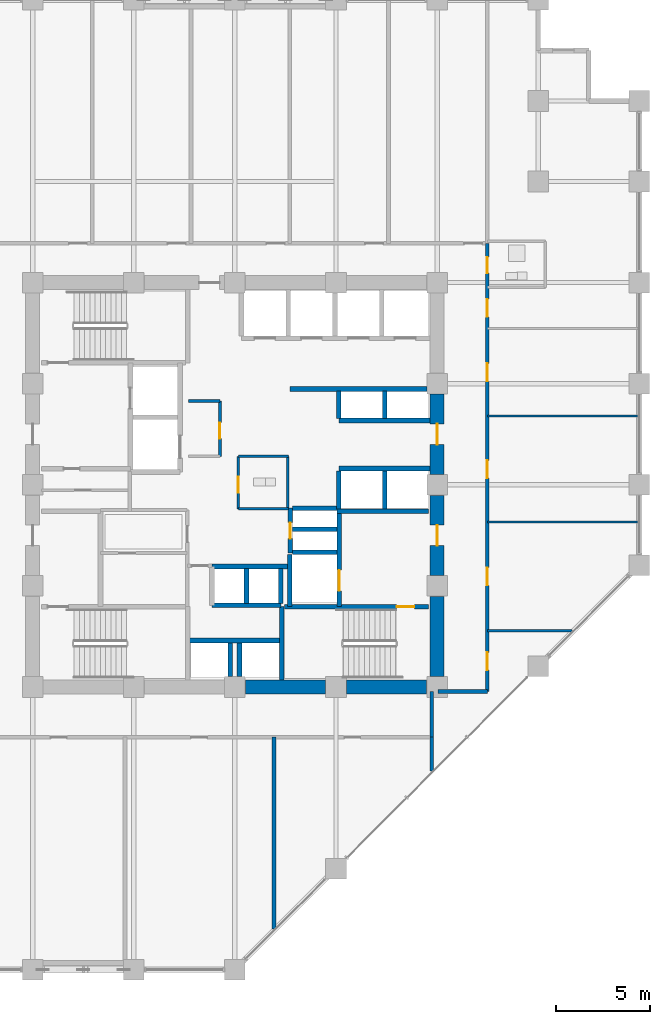
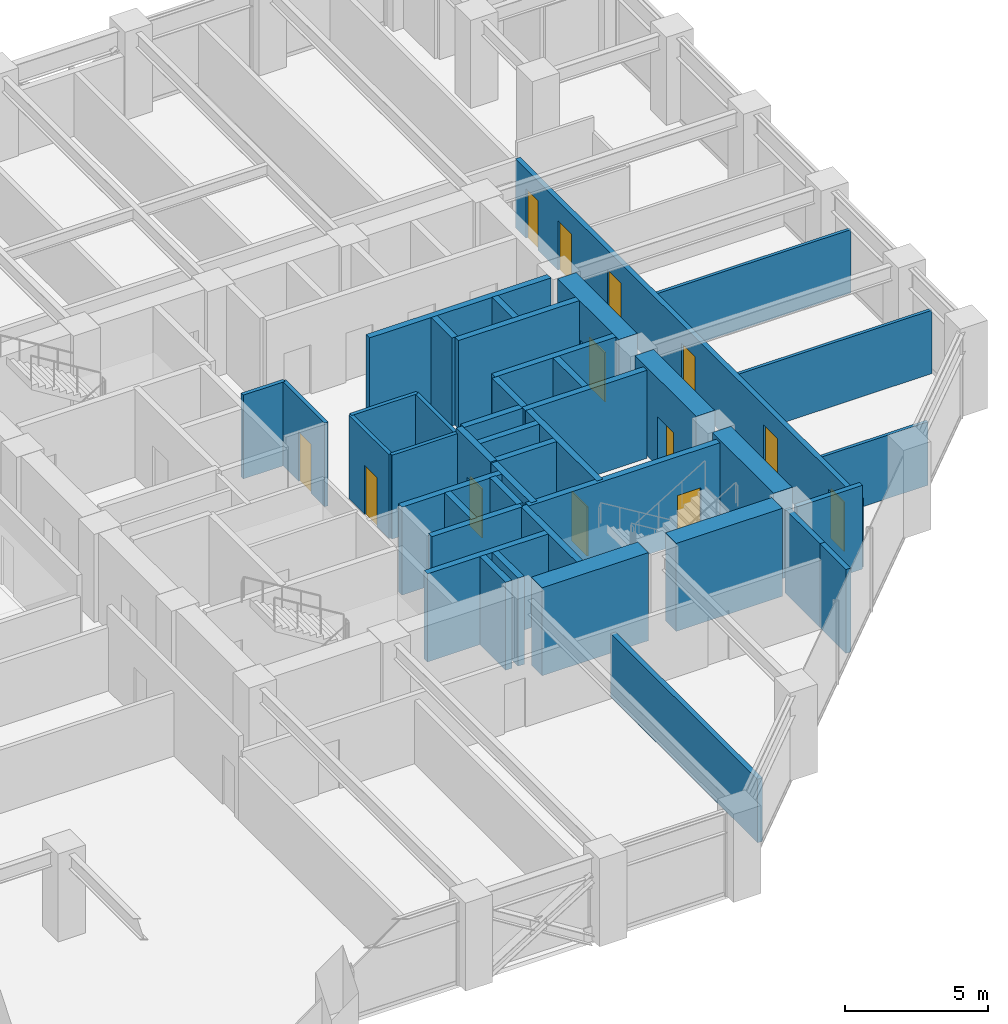
# One storey, part 20 of 25: 42 walls, 13 doors, 13 openings.
"""IFC4 building model written with IfcOpenShell, lengths in metres."""

from ifc_helpers import new_model, si_unit, direction, frame, frame_2d, origin, place, context, subcontext, project, spatial, rectangle, extrude, material, layer, layer_set, type_object, element, fill, save


model = new_model("IFC4")

# Units and contexts
model_context = context("Model", 3, precision=1e-05, world=origin(), true_north=direction((0.0, 1.0)))
body_context = subcontext(model_context, "Body", "Model", "MODEL_VIEW")
ifc_project = project(units=[si_unit("LENGTHUNIT", "METRE"), si_unit("AREAUNIT", "SQUARE_METRE"), si_unit("VOLUMEUNIT", "CUBIC_METRE"), si_unit("PLANEANGLEUNIT", "RADIAN"), si_unit("MASSUNIT", "GRAM", prefix="KILO")], contexts=[model_context])

# Site, building, storey
site_placement = place(None, origin())
site = spatial("IfcSite", under=ifc_project, at=site_placement, CompositionType="ELEMENT")
building_placement = place(site_placement, origin())
building = spatial("IfcBuilding", under=site, at=building_placement, Name="Surkhivell Harbour Commons", CompositionType="ELEMENT")
storey_placement = place(building_placement, frame((0.0, 0.0, 124.5)))
storey = spatial("IfcBuildingStorey", under=building, at=storey_placement, Name="L32", CompositionType="ELEMENT", Elevation=124.5)

# Wall
ifc_material_1 = material(Name="Concrete C60/75", Category="concrete")
ifc_layer_1 = layer(ifc_material_1, 0.75)
ifc_layer_set_1 = layer_set([ifc_layer_1], Name="Concrete C60/75")
wall_type_1 = type_object("IfcWallType", Name="WAL-CORE-750", PredefinedType="SHEAR", material=ifc_layer_set_1)
wall_1_placement = place(storey_placement, frame((10.800048828125, -10.239990234375, 0.0), z_axis=(0.0, 0.0, 1.0), x_axis=(0.0, 1.0, 0.0)))
element("IfcWall", 1, at=wall_1_placement, inside=storey, type_object=wall_type_1, Name="L32 Core Shear Wall East 1", PredefinedType="SHEAR", context=body_context, shape_type="SweptSolid", body=[
    extrude(rectangle(XDim=4.280029296875, YDim=0.75, at=frame_2d((2.14013671875, 0.0))), origin(), (0.0, 0.0, 1.0), 3.75),
])

# Wall, opening, door
wall_2_placement = place(storey_placement, frame((10.800048828125, -4.840087890625, 0.0), z_axis=(0.0, 0.0, 1.0), x_axis=(0.0, 1.0, 0.0)))
wall_2 = element("IfcWall", 2, at=wall_2_placement, inside=storey, type_object=wall_type_1, Name="L32 Core Shear Wall East 2", PredefinedType="SHEAR", context=body_context, shape_type="SweptSolid", body=[
    extrude(rectangle(XDim=4.280029296875, YDim=0.75, at=frame_2d((2.14013671875, 0.0))), origin(), (0.0, 0.0, 1.0), 3.75),
])
opening_1_placement = place(wall_2_placement, frame((1.590087890625, 0.0, 0.0)))
opening_1 = element("IfcOpeningElement", 3, at=opening_1_placement, cuts=wall_2, Name="Opening ID-1", PredefinedType="OPENING", context=body_context, shape_type="SweptSolid", body=[
    extrude(rectangle(XDim=1.10009765625, YDim=2.10009765625, at=frame_2d((0.550048828125, 1.050048828125))), frame((0.0, 0.385009765625, 0.0), z_axis=(0.0, -1.0, 0.0), x_axis=(1.0, 0.0, 0.0)), (0.0, 0.0, 1.0), 0.77001953125),
])
ifc_material_2 = material(Name="Hardwood-veneered fire-rated door leaf", Category="wood")
door_type_1 = type_object("IfcDoorType", Name="DOR-FD120-1100", OperationType="NOTDEFINED", PredefinedType="DOOR", material=ifc_material_2)
door_1_placement = place(opening_1_placement, origin())
door_1 = element("IfcDoor", 4, at=door_1_placement, inside=storey, type_object=door_type_1, Name="L32 Firefighting Lobby 2 Corridor Door", OperationType="SINGLE_SWING_RIGHT", OverallHeight=2.10009765625, OverallWidth=1.10009765625, PredefinedType="DOOR", context=body_context, shape_type="SweptSolid", body=[
    extrude(rectangle(XDim=1.10009765625, YDim=2.10009765625, at=frame_2d((0.550048828125, 1.050048828125))), frame((0.0, 0.02490234375, 0.0), z_axis=(0.0, -1.0, 0.0), x_axis=(1.0, 0.0, 0.0)), (0.0, 0.0, 1.0), 0.050048828125),
])
fill(opening_1, door_1)

# Wall
wall_3_placement = place(storey_placement, frame((0.56005859375, -10.800048828125, 0.0), z_axis=(0.0, 0.0, 1.0), x_axis=(1.0, 0.0, 0.0)))
element("IfcWall", 5, at=wall_3_placement, inside=storey, type_object=wall_type_1, Name="L32 Core Shear Wall South 3", PredefinedType="SHEAR", context=body_context, shape_type="SweptSolid", body=[
    extrude(rectangle(XDim=4.280029296875, YDim=0.75, at=frame_2d((2.14013671875, 0.0))), origin(), (0.0, 0.0, 1.0), 3.75),
])

# Wall, opening, door
wall_4_placement = place(storey_placement, frame((10.800048828125, 0.56005859375, 0.0), z_axis=(0.0, 0.0, 1.0), x_axis=(0.0, 1.0, 0.0)))
wall_4 = element("IfcWall", 6, at=wall_4_placement, inside=storey, type_object=wall_type_1, Name="L32 Core Shear Wall East 3", PredefinedType="SHEAR", context=body_context, shape_type="SweptSolid", body=[
    extrude(rectangle(XDim=4.280029296875, YDim=0.75, at=frame_2d((2.14013671875, 0.0))), origin(), (0.0, 0.0, 1.0), 3.75),
])
opening_2_placement = place(wall_4_placement, frame((1.590087890625, 0.0, 0.0)))
opening_2 = element("IfcOpeningElement", 7, at=opening_2_placement, cuts=wall_4, Name="Opening ID-2", PredefinedType="OPENING", context=body_context, shape_type="SweptSolid", body=[
    extrude(rectangle(XDim=1.10009765625, YDim=2.10009765625, at=frame_2d((0.550048828125, 1.050048828125))), frame((0.0, 0.385009765625, 0.0), z_axis=(0.0, -1.0, 0.0), x_axis=(1.0, 0.0, 0.0)), (0.0, 0.0, 1.0), 0.77001953125),
])
door_type_2 = type_object("IfcDoorType", Name="DOR-FD60-1100", OperationType="NOTDEFINED", PredefinedType="DOOR", material=ifc_material_2)
door_2_placement = place(opening_2_placement, origin())
door_2 = element("IfcDoor", 8, at=door_2_placement, inside=storey, type_object=door_type_2, Name="L32 Mid-Rise Lobby East Door", OperationType="SINGLE_SWING_LEFT", OverallHeight=2.10009765625, OverallWidth=1.10009765625, PredefinedType="DOOR", context=body_context, shape_type="SweptSolid", body=[
    extrude(rectangle(XDim=1.10009765625, YDim=2.10009765625, at=frame_2d((0.550048828125, 1.050048828125))), frame((0.0, 0.02490234375, 0.0), z_axis=(0.0, -1.0, 0.0), x_axis=(1.0, 0.0, 0.0)), (0.0, 0.0, 1.0), 0.050048828125),
])
fill(opening_2, door_2)

# Walls
wall_5_placement = place(storey_placement, frame((5.9599609375, -10.800048828125, 0.0), z_axis=(0.0, 0.0, 1.0), x_axis=(1.0, 0.0, 0.0)))
element("IfcWall", 9, at=wall_5_placement, inside=storey, type_object=wall_type_1, Name="L32 Core Shear Wall South 4", PredefinedType="SHEAR", context=body_context, shape_type="SweptSolid", body=[
    extrude(rectangle(XDim=4.280029296875, YDim=0.75, at=frame_2d((2.14013671875, 0.0))), origin(), (0.0, 0.0, 1.0), 3.75),
])
ifc_material_3 = material(Name="Moisture-resistant acoustic stud partition", Category="other")
ifc_layer_2 = layer(ifc_material_3, 0.125)
ifc_layer_set_2 = layer_set([ifc_layer_2], Name="Moisture-resistant acoustic stud partition")
wall_type_2 = type_object("IfcWallType", Name="WAL-INT-125", PredefinedType="PARTITIONING", material=ifc_layer_set_2)
for number, where, z_axis, x_axis, name in (
    (10, (13.47998046875, -1.989990234375, 0.0), (0.0, 0.0, 1.0), (1.0, 0.0, 0.0), "L32 East Partition BDP1"),
    (11, (13.47998046875, 3.669921875, 0.0), (0.0, 0.0, 1.0), (1.0, 0.0, 0.0), "L32 East Partition BDP2"),
):
    element("IfcWall", number, at=place(storey_placement, frame(where, z_axis=z_axis, x_axis=x_axis)), inside=storey, type_object=wall_type_2, Name=name, PredefinedType="PARTITIONING", context=body_context, shape_type="SweptSolid", body=[
        extrude(rectangle(XDim=8.06005859375, YDim=0.125, at=frame_2d((4.030029296875, 0.0))), origin(), (0.0, 0.0, 1.0), 2.698974609375),
    ])
wall_6_placement = place(storey_placement, frame((13.47998046875, -7.800048828125, 0.0), z_axis=(0.0, 0.0, 1.0), x_axis=(1.0, 0.0, 0.0)))
element("IfcWall", 12, at=wall_6_placement, inside=storey, type_object=wall_type_2, Name="L32 East Partition PBOT", PredefinedType="PARTITIONING", context=body_context, shape_type="SweptSolid", body=[
    extrude(rectangle(XDim=4.53515625, YDim=0.125, at=frame_2d((2.267578125, 0.0))), origin(), (0.0, 0.0, 1.0), 2.698974609375),
])
ifc_material_4 = material(Name="Twin-stud acoustic fireboard partition", Category="other")
ifc_layer_3 = layer(ifc_material_4, 0.14990234375)
ifc_layer_set_3 = layer_set([ifc_layer_3], Name="Twin-stud acoustic fireboard partition")
wall_type_3 = type_object("IfcWallType", Name="WAL-INT-150", PredefinedType="PARTITIONING", material=ifc_layer_set_3)
wall_7_placement = place(storey_placement, frame((2.820068359375, -1.25, 0.0), z_axis=(0.0, 0.0, 1.0), x_axis=(0.0, 1.0, 0.0)))
element("IfcWall", 13, at=wall_7_placement, inside=storey, type_object=wall_type_3, Name="L32 Core WC East Wall", PredefinedType="PARTITIONING", context=body_context, shape_type="SweptSolid", body=[
    extrude(rectangle(XDim=2.77001953125, YDim=0.14990234375, at=frame_2d((1.385009765625, 0.0))), origin(), (0.0, 0.0, 1.0), 3.570068359375),
])
for number, where, z_axis, x_axis, name in (
    (14, (0.179931640625, 1.52001953125, 0.0), (0.0, 0.0, 1.0), (1.0, 0.0, 0.0), "L32 Core WC North Wall"),
    (15, (0.179931640625, -1.280029296875, 0.0), (0.0, 0.0, 1.0), (1.0, 0.0, 0.0), "L32 Core WC South Wall"),
):
    element("IfcWall", number, at=place(storey_placement, frame(where, z_axis=z_axis, x_axis=x_axis)), inside=storey, type_object=wall_type_3, Name=name, PredefinedType="PARTITIONING", context=body_context, shape_type="SweptSolid", body=[
        extrude(rectangle(XDim=2.670166015625, YDim=0.14990234375, at=frame_2d((1.3349609375, 0.0))), origin(), (0.0, 0.0, 1.0), 3.570068359375),
    ])

# Wall, opening, door
wall_8_placement = place(storey_placement, frame((0.179931640625, -1.280029296875, 0.0), z_axis=(0.0, 0.0, 1.0), x_axis=(0.0, 1.0, 0.0)))
wall_8 = element("IfcWall", 16, at=wall_8_placement, inside=storey, type_object=wall_type_3, Name="L32 Core Accessible WC West Wall", PredefinedType="PARTITIONING", context=body_context, shape_type="SweptSolid", body=[
    extrude(rectangle(XDim=2.800048828125, YDim=0.14990234375, at=frame_2d((1.39990234375, 0.0))), origin(), (0.0, 0.0, 1.0), 3.570068359375),
])
opening_3_placement = place(wall_8_placement, frame((0.85009765625, 0.0, 0.0)))
opening_3 = element("IfcOpeningElement", 17, at=opening_3_placement, cuts=wall_8, Name="Opening ID-6", PredefinedType="OPENING", context=body_context, shape_type="SweptSolid", body=[
    extrude(rectangle(XDim=0.85009765625, YDim=2.10009765625, at=frame_2d((0.425048828125, 1.050048828125))), frame((0.0, 0.0849609375, 0.0), z_axis=(0.0, -1.0, 0.0), x_axis=(1.0, 0.0, 0.0)), (0.0, 0.0, 1.0), 0.169921875),
])
door_type_3 = type_object("IfcDoorType", Name="DOR-FD30-850", OperationType="NOTDEFINED", PredefinedType="DOOR", material=ifc_material_2)
door_3_placement = place(opening_3_placement, origin())
door_3 = element("IfcDoor", 18, at=door_3_placement, inside=storey, type_object=door_type_3, Name="L32 Floor Accessible WC Door", OperationType="SINGLE_SWING_RIGHT", OverallHeight=2.10009765625, OverallWidth=0.85009765625, PredefinedType="DOOR", context=body_context, shape_type="SweptSolid", body=[
    extrude(rectangle(XDim=0.85009765625, YDim=2.10009765625, at=frame_2d((0.425048828125, 1.050048828125))), frame((0.0, 0.02490234375, 0.0), z_axis=(0.0, -1.0, 0.0), x_axis=(1.0, 0.0, 0.0)), (0.0, 0.0, 1.0), 0.050048828125),
])
fill(opening_3, door_3)

wall_9_placement = place(storey_placement, frame((-0.800048828125, 1.52001953125, 0.0), z_axis=(0.0, 0.0, 1.0), x_axis=(0.0, 1.0, 0.0)))
wall_9 = element("IfcWall", 19, at=wall_9_placement, inside=storey, type_object=wall_type_3, Name="L32 Core Seminar East Wall", PredefinedType="PARTITIONING", context=body_context, shape_type="SweptSolid", body=[
    extrude(rectangle(XDim=2.9599609375, YDim=0.14990234375, at=frame_2d((1.47998046875, 0.0))), origin(), (0.0, 0.0, 1.0), 3.570068359375),
])
opening_4_placement = place(wall_9_placement, frame((0.949951171875, 0.0, 0.0)))
opening_4 = element("IfcOpeningElement", 20, at=opening_4_placement, cuts=wall_9, Name="Opening ID-6", PredefinedType="OPENING", context=body_context, shape_type="SweptSolid", body=[
    extrude(rectangle(XDim=0.85009765625, YDim=2.10009765625, at=frame_2d((0.425048828125, 1.050048828125))), frame((0.0, 0.0849609375, 0.0), z_axis=(0.0, -1.0, 0.0), x_axis=(1.0, 0.0, 0.0)), (0.0, 0.0, 1.0), 0.169921875),
])
door_4_placement = place(opening_4_placement, origin())
door_4 = element("IfcDoor", 21, at=door_4_placement, inside=storey, type_object=door_type_3, Name="L32 Central Seminar Door", OperationType="SINGLE_SWING_LEFT", OverallHeight=2.10009765625, OverallWidth=0.85009765625, PredefinedType="DOOR", context=body_context, shape_type="SweptSolid", body=[
    extrude(rectangle(XDim=0.85009765625, YDim=2.10009765625, at=frame_2d((0.425048828125, 1.050048828125))), frame((0.0, 0.02490234375, 0.0), z_axis=(0.0, -1.0, 0.0), x_axis=(1.0, 0.0, 0.0)), (0.0, 0.0, 1.0), 0.050048828125),
])
fill(opening_4, door_4)

# Walls
wall_10_placement = place(storey_placement, frame((-2.47998046875, 4.47998046875, 0.0), z_axis=(0.0, 0.0, 1.0), x_axis=(1.0, 0.0, 0.0)))
element("IfcWall", 22, at=wall_10_placement, inside=storey, type_object=wall_type_3, Name="L32 Core Seminar North Wall", PredefinedType="PARTITIONING", context=body_context, shape_type="SweptSolid", body=[
    extrude(rectangle(XDim=1.679931640625, YDim=0.14990234375, at=frame_2d((0.83984375, 0.0))), origin(), (0.0, 0.0, 1.0), 3.570068359375),
])
ifc_material_5 = material(Name="Autoclaved aerated concrete blockwork and fire plaster", Category="masonry")
ifc_layer_4 = layer(ifc_material_5, 0.199951171875)
ifc_layer_set_4 = layer_set([ifc_layer_4], Name="Autoclaved aerated concrete blockwork and fire plaster")
wall_type_4 = type_object("IfcWallType", Name="WAL-INT-200", PredefinedType="PARTITIONING", material=ifc_layer_set_4)
wall_11_placement = place(storey_placement, frame((10.52001953125, -15.295166015625, 0.0), z_axis=(0.0, 0.0, 1.0), x_axis=(0.0, 1.0, 0.0)))
element("IfcWall", 23, at=wall_11_placement, inside=storey, type_object=wall_type_4, Name="L32 South-East Wing Corner Divider", PredefinedType="PARTITIONING", context=body_context, shape_type="SweptSolid", body=[
    extrude(rectangle(XDim=1.815185546875, YDim=0.199951171875, at=frame_2d((0.90771484375, 0.0))), origin(), (0.0, 0.0, 1.0), 3.570068359375),
])

# Wall, openings, doors
wall_12_placement = place(storey_placement, frame((13.47998046875, -11.0400390625, 0.0), z_axis=(0.0, 0.0, 1.0), x_axis=(0.0, 1.0, 0.0)))
wall_12 = element("IfcWall", 24, at=wall_12_placement, inside=storey, type_object=wall_type_4, Name="L32 Corridor East Wall", PredefinedType="PARTITIONING", context=body_context, shape_type="SweptSolid", body=[
    extrude(rectangle(XDim=23.93994140625, YDim=0.199951171875, at=frame_2d((11.969970703125, 0.0))), origin(), (0.0, 0.0, 1.0), 2.93310546875),
])
opening_5_placement = place(wall_12_placement, frame((1.139892578125, 0.0, 0.0)))
opening_5 = element("IfcOpeningElement", 25, at=opening_5_placement, cuts=wall_12, Name="Opening ID-4", PredefinedType="OPENING", context=body_context, shape_type="SweptSolid", body=[
    extrude(rectangle(XDim=0.949951171875, YDim=2.10009765625, at=frame_2d((0.47509765625, 1.050048828125))), frame((0.0, 0.10986328125, 0.0), z_axis=(0.0, -1.0, 0.0), x_axis=(1.0, 0.0, 0.0)), (0.0, 0.0, 1.0), 0.219970703125),
])
opening_6_placement = place(wall_12_placement, frame((22.344970703125, 0.0, 0.0)))
opening_6 = element("IfcOpeningElement", 26, at=opening_6_placement, cuts=wall_12, Name="Opening ID-6", PredefinedType="OPENING", context=body_context, shape_type="SweptSolid", body=[
    extrude(rectangle(XDim=0.85009765625, YDim=2.10009765625, at=frame_2d((0.425048828125, 1.050048828125))), frame((0.0, 0.10986328125, 0.0), z_axis=(0.0, -1.0, 0.0), x_axis=(1.0, 0.0, 0.0)), (0.0, 0.0, 1.0), 0.219970703125),
])
opening_7_placement = place(wall_12_placement, frame((20.010009765625, 0.0, 0.0)))
opening_7 = element("IfcOpeningElement", 27, at=opening_7_placement, cuts=wall_12, Name="Opening ID-4", PredefinedType="OPENING", context=body_context, shape_type="SweptSolid", body=[
    extrude(rectangle(XDim=0.949951171875, YDim=2.10009765625, at=frame_2d((0.47509765625, 1.050048828125))), frame((0.0, 0.10986328125, 0.0), z_axis=(0.0, -1.0, 0.0), x_axis=(1.0, 0.0, 0.0)), (0.0, 0.0, 1.0), 0.219970703125),
])
opening_8_placement = place(wall_12_placement, frame((5.6650390625, 0.0, 0.0)))
opening_8 = element("IfcOpeningElement", 28, at=opening_8_placement, cuts=wall_12, Name="Opening ID-4", PredefinedType="OPENING", context=body_context, shape_type="SweptSolid", body=[
    extrude(rectangle(XDim=0.949951171875, YDim=2.10009765625, at=frame_2d((0.47509765625, 1.050048828125))), frame((0.0, 0.10986328125, 0.0), z_axis=(0.0, -1.0, 0.0), x_axis=(1.0, 0.0, 0.0)), (0.0, 0.0, 1.0), 0.219970703125),
])
opening_9_placement = place(wall_12_placement, frame((11.39990234375, 0.0, 0.0)))
opening_9 = element("IfcOpeningElement", 29, at=opening_9_placement, cuts=wall_12, Name="Opening ID-4", PredefinedType="OPENING", context=body_context, shape_type="SweptSolid", body=[
    extrude(rectangle(XDim=0.949951171875, YDim=2.10009765625, at=frame_2d((0.47509765625, 1.050048828125))), frame((0.0, 0.10986328125, 0.0), z_axis=(0.0, -1.0, 0.0), x_axis=(1.0, 0.0, 0.0)), (0.0, 0.0, 1.0), 0.219970703125),
])
opening_10_placement = place(wall_12_placement, frame((16.570068359375, 0.0, 0.0)))
opening_10 = element("IfcOpeningElement", 30, at=opening_10_placement, cuts=wall_12, Name="Opening ID-4", PredefinedType="OPENING", context=body_context, shape_type="SweptSolid", body=[
    extrude(rectangle(XDim=0.949951171875, YDim=2.10009765625, at=frame_2d((0.47509765625, 1.050048828125))), frame((0.0, 0.10986328125, 0.0), z_axis=(0.0, -1.0, 0.0), x_axis=(1.0, 0.0, 0.0)), (0.0, 0.0, 1.0), 0.219970703125),
])
door_5_placement = place(opening_6_placement, origin())
door_5 = element("IfcDoor", 31, at=door_5_placement, inside=storey, type_object=door_type_3, Name="L32 Communal Shower Bathroom East Door", OperationType="SINGLE_SWING_RIGHT", OverallHeight=2.10009765625, OverallWidth=0.85009765625, PredefinedType="DOOR", context=body_context, shape_type="SweptSolid", body=[
    extrude(rectangle(XDim=0.85009765625, YDim=2.10009765625, at=frame_2d((0.425048828125, 1.050048828125))), frame((0.0, 0.02490234375, 0.0), z_axis=(0.0, -1.0, 0.0), x_axis=(1.0, 0.0, 0.0)), (0.0, 0.0, 1.0), 0.050048828125),
])
fill(opening_6, door_5)
door_type_4 = type_object("IfcDoorType", Name="DOR-FD60-950", OperationType="NOTDEFINED", PredefinedType="DOOR", material=ifc_material_2)
door_6_placement = place(opening_5_placement, origin())
door_6 = element("IfcDoor", 32, at=door_6_placement, inside=storey, type_object=door_type_4, Name="L32 Shared Communal Kitchen East Door", OperationType="SINGLE_SWING_LEFT", OverallHeight=2.10009765625, OverallWidth=0.949951171875, PredefinedType="DOOR", context=body_context, shape_type="SweptSolid", body=[
    extrude(rectangle(XDim=0.949951171875, YDim=2.10009765625, at=frame_2d((0.47509765625, 1.050048828125))), frame((0.0, 0.02490234375, 0.0), z_axis=(0.0, -1.0, 0.0), x_axis=(1.0, 0.0, 0.0)), (0.0, 0.0, 1.0), 0.050048828125),
])
fill(opening_5, door_6)
door_7_placement = place(opening_7_placement, origin())
door_7 = element("IfcDoor", 33, at=door_7_placement, inside=storey, type_object=door_type_4, Name="L32 Academic Reading Commons East Door", OperationType="SINGLE_SWING_LEFT", OverallHeight=2.10009765625, OverallWidth=0.949951171875, PredefinedType="DOOR", context=body_context, shape_type="SweptSolid", body=[
    extrude(rectangle(XDim=0.949951171875, YDim=2.10009765625, at=frame_2d((0.47509765625, 1.050048828125))), frame((0.0, 0.02490234375, 0.0), z_axis=(0.0, -1.0, 0.0), x_axis=(1.0, 0.0, 0.0)), (0.0, 0.0, 1.0), 0.050048828125),
])
fill(opening_7, door_7)
door_8_placement = place(opening_8_placement, origin())
door_8 = element("IfcDoor", 34, at=door_8_placement, inside=storey, type_object=door_type_4, Name="L32 Hostel Cluster Bedroom 1 East Door", OperationType="SINGLE_SWING_RIGHT", OverallHeight=2.10009765625, OverallWidth=0.949951171875, PredefinedType="DOOR", context=body_context, shape_type="SweptSolid", body=[
    extrude(rectangle(XDim=0.949951171875, YDim=2.10009765625, at=frame_2d((0.47509765625, 1.050048828125))), frame((0.0, 0.02490234375, 0.0), z_axis=(0.0, -1.0, 0.0), x_axis=(1.0, 0.0, 0.0)), (0.0, 0.0, 1.0), 0.050048828125),
])
fill(opening_8, door_8)
door_9_placement = place(opening_9_placement, origin())
door_9 = element("IfcDoor", 35, at=door_9_placement, inside=storey, type_object=door_type_4, Name="L32 Co-Living Dormitory Bedroom 2 East Door", OperationType="SINGLE_SWING_LEFT", OverallHeight=2.10009765625, OverallWidth=0.949951171875, PredefinedType="DOOR", context=body_context, shape_type="SweptSolid", body=[
    extrude(rectangle(XDim=0.949951171875, YDim=2.10009765625, at=frame_2d((0.47509765625, 1.050048828125))), frame((0.0, 0.02490234375, 0.0), z_axis=(0.0, -1.0, 0.0), x_axis=(1.0, 0.0, 0.0)), (0.0, 0.0, 1.0), 0.050048828125),
])
fill(opening_9, door_9)
door_10_placement = place(opening_10_placement, origin())
door_10 = element("IfcDoor", 36, at=door_10_placement, inside=storey, type_object=door_type_4, Name="L32 Hostel Cluster Bedroom 3 East Door", OperationType="SINGLE_SWING_RIGHT", OverallHeight=2.10009765625, OverallWidth=0.949951171875, PredefinedType="DOOR", context=body_context, shape_type="SweptSolid", body=[
    extrude(rectangle(XDim=0.949951171875, YDim=2.10009765625, at=frame_2d((0.47509765625, 1.050048828125))), frame((0.0, 0.02490234375, 0.0), z_axis=(0.0, -1.0, 0.0), x_axis=(1.0, 0.0, 0.0)), (0.0, 0.0, 1.0), 0.050048828125),
])
fill(opening_10, door_10)

# Walls
wall_13_placement = place(storey_placement, frame((10.85009765625, -11.0400390625, 0.0), z_axis=(0.0, 0.0, 1.0), x_axis=(1.0, 0.0, 0.0)))
element("IfcWall", 37, at=wall_13_placement, inside=storey, type_object=wall_type_4, Name="L32 Corridor East South Closure Wall", PredefinedType="PARTITIONING", context=body_context, shape_type="SweptSolid", body=[
    extrude(rectangle(XDim=2.6298828125, YDim=0.199951171875, at=frame_2d((1.31494140625, 0.0))), origin(), (0.0, 0.0, 1.0), 3.570068359375),
])
wall_14_placement = place(storey_placement, frame((10.52001953125, -13.47998046875, 0.0), z_axis=(0.0, 0.0, 1.0), x_axis=(0.0, 1.0, 0.0)))
element("IfcWall", 38, at=wall_14_placement, inside=storey, type_object=wall_type_4, Name="L32 Corridor SE Closure Wall", PredefinedType="PARTITIONING", context=body_context, shape_type="SweptSolid", body=[
    extrude(rectangle(XDim=2.43994140625, YDim=0.199951171875, at=frame_2d((1.219970703125, 0.0))), origin(), (0.0, 0.0, 1.0), 3.570068359375),
])
wall_15_placement = place(storey_placement, frame((2.090087890625, -23.72509765625, 0.0), z_axis=(0.0, 0.0, 1.0), x_axis=(0.0, 1.0, 0.0)))
element("IfcWall", 39, at=wall_15_placement, inside=storey, type_object=wall_type_4, Name="L32 South Partition P2", PredefinedType="PARTITIONING", context=body_context, shape_type="SweptSolid", body=[
    extrude(rectangle(XDim=10.2451171875, YDim=0.199951171875, at=frame_2d((5.12255859375, 0.0))), origin(), (0.0, 0.0, 1.0), 2.698974609375),
])
ifc_material_6 = material(Name="Concrete C50/60", Category="concrete")
ifc_layer_5 = layer(ifc_material_6, 0.25)
ifc_layer_set_5 = layer_set([ifc_layer_5], Name="Concrete C50/60")
wall_type_5 = type_object("IfcWallType", Name="WAL-SHAFT-250", PredefinedType="SHEAR", material=ifc_layer_set_5)
wall_16_placement = place(storey_placement, frame((2.929931640625, -6.510009765625, 0.0), z_axis=(0.0, 0.0, 1.0), x_axis=(0.0, 1.0, 0.0)))
element("IfcWall", 40, at=wall_16_placement, inside=storey, type_object=wall_type_5, Name="L32 FFL2 West Shaft Wall", PredefinedType="SHEAR", context=body_context, shape_type="SweptSolid", body=[
    extrude(rectangle(XDim=2.7900390625, YDim=0.25, at=frame_2d((1.39501953125, 0.0))), origin(), (0.0, 0.0, 1.0), 3.75),
])
wall_17_placement = place(storey_placement, frame((5.43994140625, -1.419921875, 0.0), z_axis=(0.0, 0.0, 1.0), x_axis=(1.0, 0.0, 0.0)))
element("IfcWall", 41, at=wall_17_placement, inside=storey, type_object=wall_type_5, Name="L32 Firefighting Lobby 2 North Wall", PredefinedType="SHEAR", context=body_context, shape_type="SweptSolid", body=[
    extrude(rectangle(XDim=4.900146484375, YDim=0.25, at=frame_2d((2.4501953125, 0.0))), origin(), (0.0, 0.0, 1.0), 3.75),
])
wall_18_placement = place(storey_placement, frame((3.080078125, -3.60009765625, 0.0), z_axis=(0.0, 0.0, 1.0), x_axis=(1.0, 0.0, 0.0)))
element("IfcWall", 42, at=wall_18_placement, inside=storey, type_object=wall_type_5, Name="L32 FFL2 North Shaft Wall", PredefinedType="SHEAR", context=body_context, shape_type="SweptSolid", body=[
    extrude(rectangle(XDim=2.369873046875, YDim=0.25, at=frame_2d((1.18505859375, 0.0))), origin(), (0.0, 0.0, 1.0), 3.75),
])

# Wall, opening, door
wall_19_placement = place(storey_placement, frame((5.580078125, -6.510009765625, 0.0), z_axis=(0.0, 0.0, 1.0), x_axis=(0.0, 1.0, 0.0)))
wall_19 = element("IfcWall", 43, at=wall_19_placement, inside=storey, type_object=wall_type_5, Name="L32 Firefighting Lobby 2 West Shaft Wall", PredefinedType="SHEAR", context=body_context, shape_type="SweptSolid", body=[
    extrude(rectangle(XDim=5.090087890625, YDim=0.25, at=frame_2d((2.544921875, 0.0))), origin(), (0.0, 0.0, 1.0), 3.75),
])
opening_11_placement = place(wall_19_placement, frame((0.85009765625, 0.0, 0.0)))
opening_11 = element("IfcOpeningElement", 44, at=opening_11_placement, cuts=wall_19, Name="Opening LD-1", PredefinedType="OPENING", context=body_context, shape_type="SweptSolid", body=[
    extrude(rectangle(XDim=1.10009765625, YDim=2.10009765625, at=frame_2d((0.550048828125, 1.050048828125))), frame((0.0, 0.135009765625, 0.0), z_axis=(0.0, -1.0, 0.0), x_axis=(1.0, 0.0, 0.0)), (0.0, 0.0, 1.0), 0.27001953125),
])
ifc_material_7 = material(Name="Brushed stainless steel S355", Category="steel")
door_type_5 = type_object("IfcDoorType", Name="DOR-LD-1100", OperationType="SLIDING_TO_LEFT", PredefinedType="DOOR", material=ifc_material_7)
door_11_placement = place(opening_11_placement, origin())
door_11 = element("IfcDoor", 45, at=door_11_placement, inside=storey, type_object=door_type_5, Name="L32 Lift Landing Door LD-FFL2", OperationType="SLIDING_TO_RIGHT", OverallHeight=2.10009765625, OverallWidth=1.10009765625, PredefinedType="DOOR", context=body_context, shape_type="SweptSolid", body=[
    extrude(rectangle(XDim=1.10009765625, YDim=2.10009765625, at=frame_2d((0.550048828125, 1.050048828125))), frame((0.0, 0.02490234375, 0.0), z_axis=(0.0, -1.0, 0.0), x_axis=(1.0, 0.0, 0.0)), (0.0, 0.0, 1.0), 0.050048828125),
])
fill(opening_11, door_11)

# Walls
for number, where, z_axis, x_axis, name in (
    (46, (0.6201171875, -6.340087890625, 0.0), (0.0, 0.0, 1.0), (0.0, 1.0, 0.0), "L32 High-Rise Side Wall N"),
    (47, (2.449951171875, -6.340087890625, 0.0), (0.0, 0.0, 1.0), (0.0, 1.0, 0.0), "L32 High-Rise Side Wall N"),
):
    element("IfcWall", number, at=place(storey_placement, frame(where, z_axis=z_axis, x_axis=x_axis)), inside=storey, type_object=wall_type_5, Name=name, PredefinedType="SHEAR", context=body_context, shape_type="SweptSolid", body=[
        extrude(rectangle(XDim=1.880126953125, YDim=0.25, at=frame_2d((0.93994140625, 0.0))), origin(), (0.0, 0.0, 1.0), 3.75),
    ])
for number, where, z_axis, x_axis, name in (
    (48, (-0.25, -10.25, 0.0), (0.0, 0.0, 1.0), (0.0, 1.0, 0.0), "L32 High-Rise Side Wall S"),
    (49, (0.25, -10.25, 0.0), (0.0, 0.0, 1.0), (0.0, 1.0, 0.0), "L32 High-Rise Side Wall S"),
):
    element("IfcWall", number, at=place(storey_placement, frame(where, z_axis=z_axis, x_axis=x_axis)), inside=storey, type_object=wall_type_5, Name=name, PredefinedType="SHEAR", context=body_context, shape_type="SweptSolid", body=[
        extrude(rectangle(XDim=1.81005859375, YDim=0.25, at=frame_2d((0.905029296875, 0.0))), origin(), (0.0, 0.0, 1.0), 3.75),
    ])
wall_20_placement = place(storey_placement, frame((-1.219970703125, -6.43994140625, 0.0), z_axis=(0.0, 0.0, 1.0), x_axis=(1.0, 0.0, 0.0)))
element("IfcWall", 50, at=wall_20_placement, inside=storey, type_object=wall_type_5, Name="L32 High-Rise North Front Shaft Wall", PredefinedType="SHEAR", context=body_context, shape_type="SweptSolid", body=[
    extrude(rectangle(XDim=3.669921875, YDim=0.25, at=frame_2d((1.8349609375, 0.0))), origin(), (0.0, 0.0, 1.0), 3.75),
])
wall_21_placement = place(storey_placement, frame((-2.47998046875, -8.320068359375, 0.0), z_axis=(0.0, 0.0, 1.0), x_axis=(1.0, 0.0, 0.0)))
element("IfcWall", 51, at=wall_21_placement, inside=storey, type_object=wall_type_5, Name="L32 High-Rise South Front Shaft Wall", PredefinedType="SHEAR", context=body_context, shape_type="SweptSolid", body=[
    extrude(rectangle(XDim=4.929931640625, YDim=0.25, at=frame_2d((2.46484375, 0.0))), origin(), (0.0, 0.0, 1.0), 3.75),
])
wall_22_placement = place(storey_placement, frame((-1.219970703125, -4.360107421875, 0.0), z_axis=(0.0, 0.0, 1.0), x_axis=(1.0, 0.0, 0.0)))
element("IfcWall", 52, at=wall_22_placement, inside=storey, type_object=wall_type_5, Name="L32 High-Rise North Back Shaft Wall", PredefinedType="SHEAR", context=body_context, shape_type="SweptSolid", body=[
    extrude(rectangle(XDim=4.030029296875, YDim=0.25, at=frame_2d((2.01513671875, 0.0))), origin(), (0.0, 0.0, 1.0), 3.75),
])
wall_23_placement = place(storey_placement, frame((2.949951171875, 5.1201171875, 0.0), z_axis=(0.0, 0.0, 1.0), x_axis=(1.0, 0.0, 0.0)))
element("IfcWall", 53, at=wall_23_placement, inside=storey, type_object=wall_type_5, Name="L32 Low-Rise Lobby South Wall", PredefinedType="SHEAR", context=body_context, shape_type="SweptSolid", body=[
    extrude(rectangle(XDim=7.300048828125, YDim=0.25, at=frame_2d((3.64990234375, 0.0))), origin(), (0.0, 0.0, 1.0), 3.75),
])
for number, where, z_axis, x_axis, name in (
    (54, (5.550048828125, 3.550048828125, 0.0), (0.0, 0.0, 1.0), (0.0, 1.0, 0.0), "L32 Mid-Rise Shaft Side Wall N"),
    (55, (8.0, 3.550048828125, 0.0), (0.0, 0.0, 1.0), (0.0, 1.0, 0.0), "L32 Mid-Rise Shaft Side Wall N"),
):
    element("IfcWall", number, at=place(storey_placement, frame(where, z_axis=z_axis, x_axis=x_axis)), inside=storey, type_object=wall_type_5, Name=name, PredefinedType="SHEAR", context=body_context, shape_type="SweptSolid", body=[
        extrude(rectangle(XDim=1.449951171875, YDim=0.25, at=frame_2d((0.72509765625, 0.0))), origin(), (0.0, 0.0, 1.0), 3.75),
    ])
for number, where, z_axis, x_axis, name in (
    (56, (5.550048828125, -1.300048828125, 0.0), (0.0, 0.0, 1.0), (0.0, 1.0, 0.0), "L32 Mid-Rise Shaft Side Wall S"),
    (57, (8.0, -1.300048828125, 0.0), (0.0, 0.0, 1.0), (0.0, 1.0, 0.0), "L32 Mid-Rise Shaft Side Wall S"),
):
    element("IfcWall", number, at=place(storey_placement, frame(where, z_axis=z_axis, x_axis=x_axis)), inside=storey, type_object=wall_type_5, Name=name, PredefinedType="SHEAR", context=body_context, shape_type="SweptSolid", body=[
        extrude(rectangle(XDim=2.0400390625, YDim=0.25, at=frame_2d((1.02001953125, 0.0))), origin(), (0.0, 0.0, 1.0), 3.75),
    ])
for number, where, z_axis, x_axis, name in (
    (58, (5.550048828125, 3.429931640625, 0.0), (0.0, 0.0, 1.0), (1.0, 0.0, 0.0), "L32 Mid-Rise North Front Shaft Wall"),
    (59, (5.550048828125, 0.8701171875, 0.0), (0.0, 0.0, 1.0), (1.0, 0.0, 0.0), "L32 Mid-Rise South Front Shaft Wall"),
):
    element("IfcWall", number, at=place(storey_placement, frame(where, z_axis=z_axis, x_axis=x_axis)), inside=storey, type_object=wall_type_5, Name=name, PredefinedType="SHEAR", context=body_context, shape_type="SweptSolid", body=[
        extrude(rectangle(XDim=4.875, YDim=0.25, at=frame_2d((2.4375, 0.0))), origin(), (0.0, 0.0, 1.0), 3.75),
    ])
for number, where, z_axis, x_axis, name in (
    (60, (3.080078125, -2.3798828125, 0.0), (0.0, 0.0, 1.0), (1.0, 0.0, 0.0), "L32 Riser Divider Wall"),
    (61, (3.080078125, -1.25, 0.0), (0.0, 0.0, 1.0), (1.0, 0.0, 0.0), "L32 Riser North Wall"),
):
    element("IfcWall", number, at=place(storey_placement, frame(where, z_axis=z_axis, x_axis=x_axis)), inside=storey, type_object=wall_type_5, Name=name, PredefinedType="SHEAR", context=body_context, shape_type="SweptSolid", body=[
        extrude(rectangle(XDim=2.369873046875, YDim=0.25, at=frame_2d((1.18505859375, 0.0))), origin(), (0.0, 0.0, 1.0), 3.75),
    ])

# Wall, opening, door
wall_24_placement = place(storey_placement, frame((2.949951171875, -3.64990234375, 0.0), z_axis=(0.0, 0.0, 1.0), x_axis=(0.0, 1.0, 0.0)))
wall_24 = element("IfcWall", 62, at=wall_24_placement, inside=storey, type_object=wall_type_5, Name="L32 Riser Shaft West Wall", PredefinedType="SHEAR", context=body_context, shape_type="SweptSolid", body=[
    extrude(rectangle(XDim=2.39990234375, YDim=0.25, at=frame_2d((1.199951171875, 0.0))), origin(), (0.0, 0.0, 1.0), 3.75),
])
opening_12_placement = place(wall_24_placement, frame((0.77490234375, 0.0, 0.0)))
opening_12 = element("IfcOpeningElement", 63, at=opening_12_placement, cuts=wall_24, Name="Opening ID-6", PredefinedType="OPENING", context=body_context, shape_type="SweptSolid", body=[
    extrude(rectangle(XDim=0.85009765625, YDim=2.10009765625, at=frame_2d((0.425048828125, 1.050048828125))), frame((0.0, 0.135009765625, 0.0), z_axis=(0.0, -1.0, 0.0), x_axis=(1.0, 0.0, 0.0)), (0.0, 0.0, 1.0), 0.27001953125),
])
door_12_placement = place(opening_12_placement, origin())
door_12 = element("IfcDoor", 64, at=door_12_placement, inside=storey, type_object=door_type_3, Name="L32 Electrical Riser Access Door", OperationType="SINGLE_SWING_LEFT", OverallHeight=2.10009765625, OverallWidth=0.85009765625, PredefinedType="DOOR", context=body_context, shape_type="SweptSolid", body=[
    extrude(rectangle(XDim=0.85009765625, YDim=2.10009765625, at=frame_2d((0.425048828125, 1.050048828125))), frame((0.0, 0.02490234375, 0.0), z_axis=(0.0, -1.0, 0.0), x_axis=(1.0, 0.0, 0.0)), (0.0, 0.0, 1.0), 0.050048828125),
])
fill(opening_12, door_12)

wall_25_placement = place(storey_placement, frame((2.639892578125, -6.510009765625, 0.0), z_axis=(0.0, 0.0, 1.0), x_axis=(1.0, 0.0, 0.0)))
wall_25 = element("IfcWall", 65, at=wall_25_placement, inside=storey, type_object=wall_type_5, Name="L32 Stair ST2 North Shear Wall", PredefinedType="SHEAR", context=body_context, shape_type="SweptSolid", body=[
    extrude(rectangle(XDim=7.7001953125, YDim=0.25, at=frame_2d((3.85009765625, 0.0))), origin(), (0.0, 0.0, 1.0), 3.75),
])
opening_13_placement = place(wall_25_placement, frame((6.0, 0.0, 0.0)))
opening_13 = element("IfcOpeningElement", 66, at=opening_13_placement, cuts=wall_25, Name="Opening ID-4", PredefinedType="OPENING", context=body_context, shape_type="SweptSolid", body=[
    extrude(rectangle(XDim=0.949951171875, YDim=2.10009765625, at=frame_2d((0.47509765625, 1.050048828125))), frame((0.0, 0.135009765625, 0.0), z_axis=(0.0, -1.0, 0.0), x_axis=(1.0, 0.0, 0.0)), (0.0, 0.0, 1.0), 0.27001953125),
])
door_13_placement = place(opening_13_placement, origin())
door_13 = element("IfcDoor", 67, at=door_13_placement, inside=storey, type_object=door_type_4, Name="L32 Stair ST2 Exit Door", OperationType="SINGLE_SWING_RIGHT", OverallHeight=2.10009765625, OverallWidth=0.949951171875, PredefinedType="DOOR", context=body_context, shape_type="SweptSolid", body=[
    extrude(rectangle(XDim=0.949951171875, YDim=2.10009765625, at=frame_2d((0.47509765625, 1.050048828125))), frame((0.0, 0.02490234375, 0.0), z_axis=(0.0, -1.0, 0.0), x_axis=(1.0, 0.0, 0.0)), (0.0, 0.0, 1.0), 0.050048828125),
])
fill(opening_13, door_13)

# Wall
wall_26_placement = place(storey_placement, frame((2.510009765625, -10.425048828125, 0.0), z_axis=(0.0, 0.0, 1.0), x_axis=(0.0, 1.0, 0.0)))
element("IfcWall", 68, at=wall_26_placement, inside=storey, type_object=wall_type_5, Name="L32 Stair ST2 West Shear Wall", PredefinedType="SHEAR", context=body_context, shape_type="SweptSolid", body=[
    extrude(rectangle(XDim=3.9150390625, YDim=0.25, at=frame_2d((1.95751953125, 0.0))), origin(), (0.0, 0.0, 1.0), 3.75),
])

save(model, "model.ifc")
